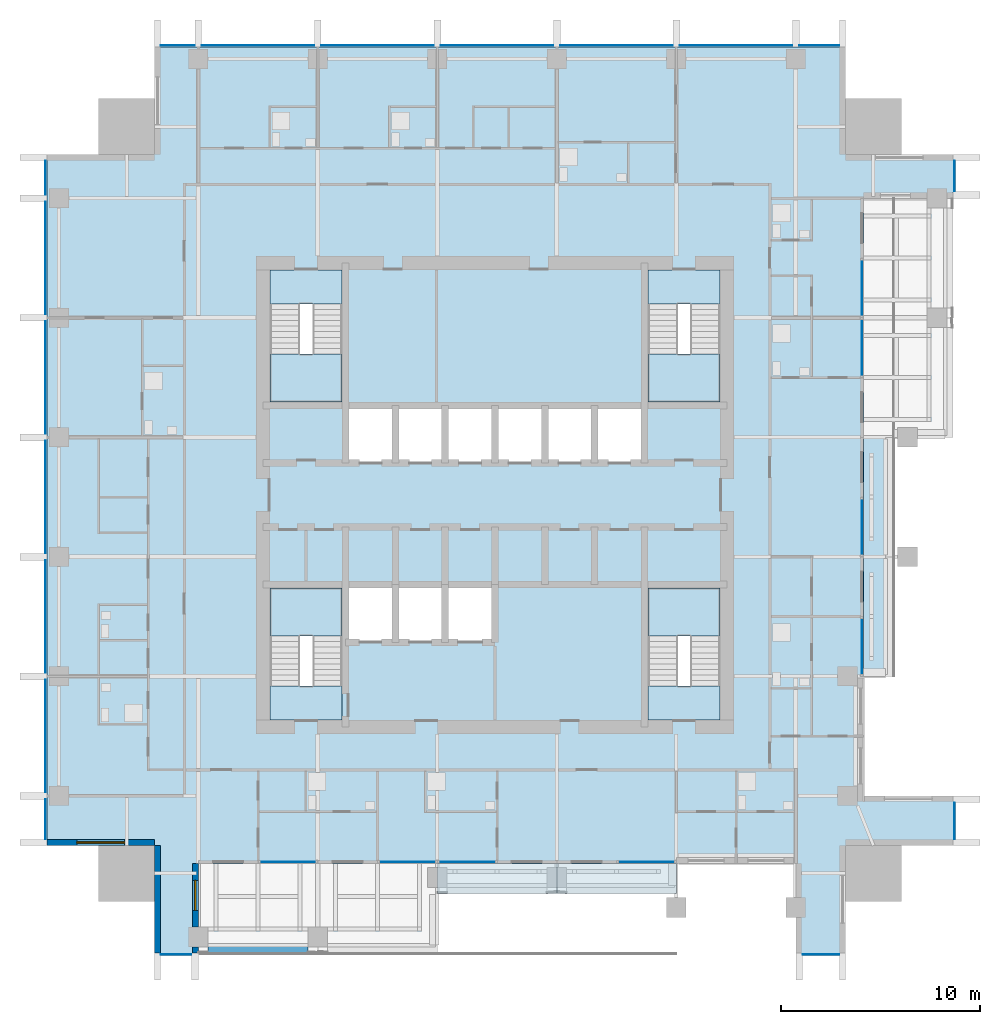
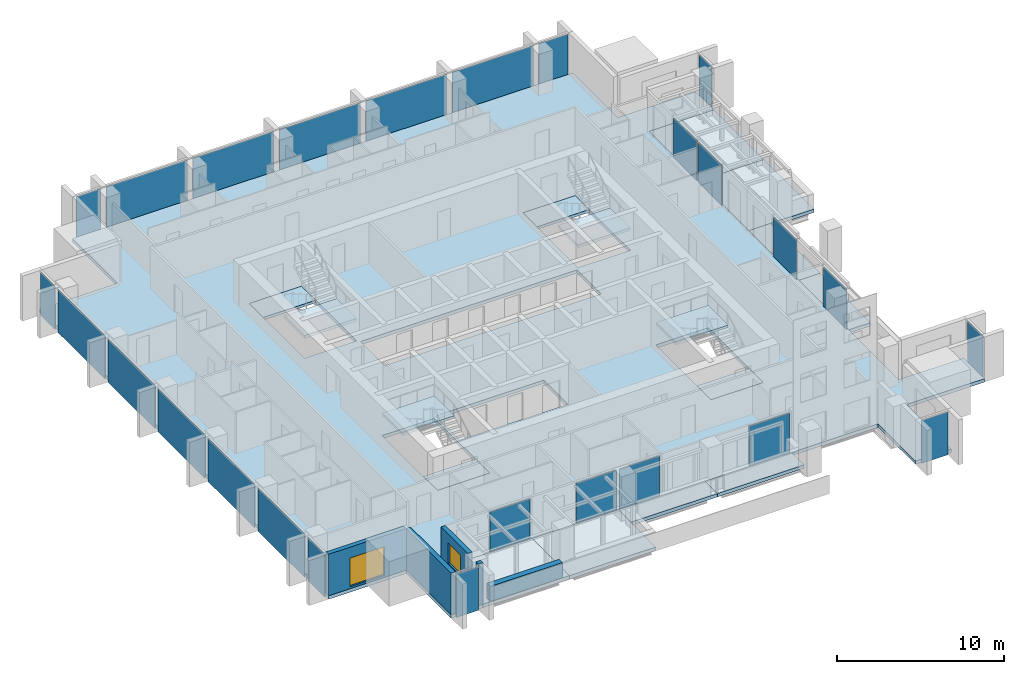
# One storey, part 7 of 16: 26 plates, 17 slabs, 5 walls, 2 windows, 2 openings, 18 elements without a shape of their own.
"""IFC4 building model written with IfcOpenShell, lengths in metres."""

from ifc_helpers import new_model, si_unit, direction, frame, frame_2d, origin, origin_2d, place, context, subcontext, project, spatial, polyline, rectangle, outline, extrude, material, layer, layer_set, type_object, element, fill, aggregate, save


model = new_model("IFC4")

# Units and contexts
model_context = context("Model", 3, precision=1e-05, world=origin(), true_north=direction((0.0, 1.0)))
body_context = subcontext(model_context, "Body", "Model", "MODEL_VIEW")
ifc_project = project(units=[si_unit("LENGTHUNIT", "METRE"), si_unit("AREAUNIT", "SQUARE_METRE"), si_unit("VOLUMEUNIT", "CUBIC_METRE"), si_unit("PLANEANGLEUNIT", "RADIAN"), si_unit("MASSUNIT", "GRAM", prefix="KILO")], contexts=[model_context])

# Site, building, storey
site_placement = place(None, origin())
site = spatial("IfcSite", under=ifc_project, at=site_placement, CompositionType="ELEMENT")
building_placement = place(site_placement, origin())
building = spatial("IfcBuilding", under=site, at=building_placement, Name="Amberfall Residences", CompositionType="ELEMENT")
storey_placement = place(building_placement, frame((0.0, 0.0, 164.800048828125)))
storey = spatial("IfcBuildingStorey", under=building, at=storey_placement, Name="L44", CompositionType="ELEMENT", Elevation=164.800048828125)

# Curtain wall, plate
ifc_material_1 = material(Name="Bronze anodised aluminium and glass", Category="aluminium")
curtain_wall_type_1 = type_object("IfcCurtainWallType", Name="Curtain wall CW1 tower unit", PredefinedType="USERDEFINED", material=ifc_material_1)
curtain_wall_1_placement = place(storey_placement, origin())
curtain_wall_1 = element("IfcCurtainWall", 1, at=curtain_wall_1_placement, inside=storey, type_object=curtain_wall_type_1, Name="Curtain wall L44 S S1", ObjectType="UNITISED CURTAIN WALL", PredefinedType="USERDEFINED")
ifc_material_2 = material(Name="Tinted double glazed unit", Category="glass")
ifc_layer_1 = layer(ifc_material_2, 0.035888671875)
ifc_layer_set_1 = layer_set([ifc_layer_1], Name="CW1 panel 36 glazing")
plate_type_1 = type_object("IfcPlateType", Name="CW1 panel 36 glazing", PredefinedType="CURTAIN_PANEL", material=ifc_layer_set_1)
plate_1_placement = place(storey_placement, frame((58.47509765625, 22.425048828125, -0.25), z_axis=(0.0, 0.0, 1.0), x_axis=(1.0, 0.0, 0.0)))
plate_1 = element("IfcPlate", 2, at=plate_1_placement, type_object=plate_type_1, Name="CW1 panel 1.1", PredefinedType="CURTAIN_PANEL", context=body_context, shape_type="SweptSolid", body=[
    extrude(rectangle(XDim=1.52587890625, YDim=0.035888671875, at=origin_2d()), origin(), (0.0, 0.0, 1.0), 3.14990234375),
])
aggregate(curtain_wall_1, [plate_1])

curtain_wall_2_placement = place(storey_placement, origin())
curtain_wall_2 = element("IfcCurtainWall", 3, at=curtain_wall_2_placement, inside=storey, type_object=curtain_wall_type_1, Name="Curtain wall L44 S S9", ObjectType="UNITISED CURTAIN WALL", PredefinedType="USERDEFINED")
plate_2_placement = place(storey_placement, frame((90.875, 22.425048828125, -0.25), z_axis=(0.0, 0.0, 1.0), x_axis=(1.0, 0.0, 0.0)))
plate_2 = element("IfcPlate", 4, at=plate_2_placement, type_object=plate_type_1, Name="CW1 panel 1.1", PredefinedType="CURTAIN_PANEL", context=body_context, shape_type="SweptSolid", body=[
    extrude(rectangle(XDim=1.825927734375, YDim=0.035888671875, at=origin_2d()), origin(), (0.0, 0.0, 1.0), 3.14990234375),
])
aggregate(curtain_wall_2, [plate_2])

curtain_wall_3_placement = place(storey_placement, origin())
curtain_wall_3 = element("IfcCurtainWall", 5, at=curtain_wall_3_placement, inside=storey, type_object=curtain_wall_type_1, Name="Curtain wall L44 E E1", ObjectType="UNITISED CURTAIN WALL", PredefinedType="USERDEFINED")
plate_3_placement = place(storey_placement, frame((97.574951171875, 29.125, -0.25), z_axis=(0.0, 0.0, 1.0), x_axis=(0.0, 1.0, 0.0)))
plate_3 = element("IfcPlate", 6, at=plate_3_placement, type_object=plate_type_1, Name="CW1 panel 1.1", PredefinedType="CURTAIN_PANEL", context=body_context, shape_type="SweptSolid", body=[
    extrude(rectangle(XDim=1.825927734375, YDim=0.035888671875, at=origin_2d()), origin(), (0.0, 0.0, 1.0), 3.14990234375),
])
aggregate(curtain_wall_3, [plate_3])

curtain_wall_4_placement = place(storey_placement, origin())
curtain_wall_4 = element("IfcCurtainWall", 7, at=curtain_wall_4_placement, inside=storey, type_object=curtain_wall_type_1, Name="Curtain wall L44 E E9", ObjectType="UNITISED CURTAIN WALL", PredefinedType="USERDEFINED")
plate_4_placement = place(storey_placement, frame((97.574951171875, 61.52490234375, -0.25), z_axis=(0.0, 0.0, 1.0), x_axis=(0.0, 1.0, 0.0)))
plate_4 = element("IfcPlate", 8, at=plate_4_placement, type_object=plate_type_1, Name="CW1 panel 1.1", PredefinedType="CURTAIN_PANEL", context=body_context, shape_type="SweptSolid", body=[
    extrude(rectangle(XDim=1.52587890625, YDim=0.035888671875, at=origin_2d()), origin(), (0.0, 0.0, 1.0), 3.14990234375),
])
aggregate(curtain_wall_4, [plate_4])

# Curtain wall, plates
curtain_wall_5_placement = place(storey_placement, origin())
curtain_wall_5 = element("IfcCurtainWall", 9, at=curtain_wall_5_placement, inside=storey, type_object=curtain_wall_type_1, Name="Curtain wall L44 N N1", ObjectType="UNITISED CURTAIN WALL", PredefinedType="USERDEFINED")
plate_5_placement = place(storey_placement, frame((90.78759765625, 68.074951171875, -0.25), z_axis=(0.0, 0.0, 1.0), x_axis=(-1.0, 0.0, 0.0)))
plate_5 = element("IfcPlate", 10, at=plate_5_placement, type_object=plate_type_1, Name="CW1 panel 1.1", PredefinedType="CURTAIN_PANEL", context=body_context, shape_type="SweptSolid", body=[
    extrude(rectangle(XDim=2.0009765625, YDim=0.035888671875, at=origin_2d()), origin(), (0.0, 0.0, 1.0), 3.14990234375),
])
plate_6_placement = place(storey_placement, frame((86.60009765625, 68.074951171875, -0.25), z_axis=(0.0, 0.0, 1.0), x_axis=(-1.0, 0.0, 0.0)))
plate_6 = element("IfcPlate", 11, at=plate_6_placement, type_object=plate_type_1, Name="CW1 panel 2.1", PredefinedType="CURTAIN_PANEL", context=body_context, shape_type="SweptSolid", body=[
    extrude(rectangle(XDim=5.6259765625, YDim=0.035888671875, at=origin_2d()), origin(), (0.0, 0.0, 1.0), 3.14990234375),
])
plate_7_placement = place(storey_placement, frame((80.60009765625, 68.074951171875, -0.25), z_axis=(0.0, 0.0, 1.0), x_axis=(-1.0, 0.0, 0.0)))
plate_7 = element("IfcPlate", 12, at=plate_7_placement, type_object=plate_type_1, Name="CW1 panel 3.1", PredefinedType="CURTAIN_PANEL", context=body_context, shape_type="SweptSolid", body=[
    extrude(rectangle(XDim=5.6259765625, YDim=0.035888671875, at=origin_2d()), origin(), (0.0, 0.0, 1.0), 3.14990234375),
])
plate_8_placement = place(storey_placement, frame((74.60009765625, 68.074951171875, -0.25), z_axis=(0.0, 0.0, 1.0), x_axis=(-1.0, 0.0, 0.0)))
plate_8 = element("IfcPlate", 13, at=plate_8_placement, type_object=plate_type_1, Name="CW1 panel 4.1", PredefinedType="CURTAIN_PANEL", context=body_context, shape_type="SweptSolid", body=[
    extrude(rectangle(XDim=5.6259765625, YDim=0.035888671875, at=origin_2d()), origin(), (0.0, 0.0, 1.0), 3.14990234375),
])
plate_9_placement = place(storey_placement, frame((68.60009765625, 68.074951171875, -0.25), z_axis=(0.0, 0.0, 1.0), x_axis=(-1.0, 0.0, 0.0)))
plate_9 = element("IfcPlate", 14, at=plate_9_placement, type_object=plate_type_1, Name="CW1 panel 5.1", PredefinedType="CURTAIN_PANEL", context=body_context, shape_type="SweptSolid", body=[
    extrude(rectangle(XDim=5.6259765625, YDim=0.035888671875, at=origin_2d()), origin(), (0.0, 0.0, 1.0), 3.14990234375),
])
plate_10_placement = place(storey_placement, frame((62.60009765625, 68.074951171875, -0.25), z_axis=(0.0, 0.0, 1.0), x_axis=(-1.0, 0.0, 0.0)))
plate_10 = element("IfcPlate", 15, at=plate_10_placement, type_object=plate_type_1, Name="CW1 panel 6.1", PredefinedType="CURTAIN_PANEL", context=body_context, shape_type="SweptSolid", body=[
    extrude(rectangle(XDim=5.6259765625, YDim=0.035888671875, at=origin_2d()), origin(), (0.0, 0.0, 1.0), 3.14990234375),
])
plate_11_placement = place(storey_placement, frame((58.5625, 68.074951171875, -0.25), z_axis=(0.0, 0.0, 1.0), x_axis=(-1.0, 0.0, 0.0)))
plate_11 = element("IfcPlate", 16, at=plate_11_placement, type_object=plate_type_1, Name="CW1 panel 7.1", PredefinedType="CURTAIN_PANEL", context=body_context, shape_type="SweptSolid", body=[
    extrude(rectangle(XDim=1.700927734375, YDim=0.035888671875, at=origin_2d()), origin(), (0.0, 0.0, 1.0), 3.14990234375),
])
aggregate(curtain_wall_5, [plate_5, plate_6, plate_7, plate_8, plate_9, plate_10, plate_11])

curtain_wall_6_placement = place(storey_placement, origin())
curtain_wall_6 = element("IfcCurtainWall", 17, at=curtain_wall_6_placement, inside=storey, type_object=curtain_wall_type_1, Name="Curtain wall L44 W W1", ObjectType="UNITISED CURTAIN WALL", PredefinedType="USERDEFINED")
plate_12_placement = place(storey_placement, frame((51.925048828125, 61.4375, -0.25), z_axis=(0.0, 0.0, 1.0), x_axis=(0.0, -1.0, 0.0)))
plate_12 = element("IfcPlate", 18, at=plate_12_placement, type_object=plate_type_1, Name="CW1 panel 1.1", PredefinedType="CURTAIN_PANEL", context=body_context, shape_type="SweptSolid", body=[
    extrude(rectangle(XDim=1.700927734375, YDim=0.035888671875, at=origin_2d()), origin(), (0.0, 0.0, 1.0), 3.14990234375),
])
plate_13_placement = place(storey_placement, frame((51.925048828125, 57.39990234375, -0.25), z_axis=(0.0, 0.0, 1.0), x_axis=(0.0, -1.0, 0.0)))
plate_13 = element("IfcPlate", 19, at=plate_13_placement, type_object=plate_type_1, Name="CW1 panel 2.1", PredefinedType="CURTAIN_PANEL", context=body_context, shape_type="SweptSolid", body=[
    extrude(rectangle(XDim=5.6259765625, YDim=0.035888671875, at=origin_2d()), origin(), (0.0, 0.0, 1.0), 3.14990234375),
])
plate_14_placement = place(storey_placement, frame((51.925048828125, 51.39990234375, -0.25), z_axis=(0.0, 0.0, 1.0), x_axis=(0.0, -1.0, 0.0)))
plate_14 = element("IfcPlate", 20, at=plate_14_placement, type_object=plate_type_1, Name="CW1 panel 3.1", PredefinedType="CURTAIN_PANEL", context=body_context, shape_type="SweptSolid", body=[
    extrude(rectangle(XDim=5.6259765625, YDim=0.035888671875, at=origin_2d()), origin(), (0.0, 0.0, 1.0), 3.14990234375),
])
plate_15_placement = place(storey_placement, frame((51.925048828125, 45.39990234375, -0.25), z_axis=(0.0, 0.0, 1.0), x_axis=(0.0, -1.0, 0.0)))
plate_15 = element("IfcPlate", 21, at=plate_15_placement, type_object=plate_type_1, Name="CW1 panel 4.1", PredefinedType="CURTAIN_PANEL", context=body_context, shape_type="SweptSolid", body=[
    extrude(rectangle(XDim=5.6259765625, YDim=0.035888671875, at=origin_2d()), origin(), (0.0, 0.0, 1.0), 3.14990234375),
])
plate_16_placement = place(storey_placement, frame((51.925048828125, 39.39990234375, -0.25), z_axis=(0.0, 0.0, 1.0), x_axis=(0.0, -1.0, 0.0)))
plate_16 = element("IfcPlate", 22, at=plate_16_placement, type_object=plate_type_1, Name="CW1 panel 5.1", PredefinedType="CURTAIN_PANEL", context=body_context, shape_type="SweptSolid", body=[
    extrude(rectangle(XDim=5.6259765625, YDim=0.035888671875, at=origin_2d()), origin(), (0.0, 0.0, 1.0), 3.14990234375),
])
plate_17_placement = place(storey_placement, frame((51.925048828125, 33.39990234375, -0.25), z_axis=(0.0, 0.0, 1.0), x_axis=(0.0, -1.0, 0.0)))
plate_17 = element("IfcPlate", 23, at=plate_17_placement, type_object=plate_type_1, Name="CW1 panel 6.1", PredefinedType="CURTAIN_PANEL", context=body_context, shape_type="SweptSolid", body=[
    extrude(rectangle(XDim=5.6259765625, YDim=0.035888671875, at=origin_2d()), origin(), (0.0, 0.0, 1.0), 3.14990234375),
])
plate_18_placement = place(storey_placement, frame((51.925048828125, 29.21240234375, -0.25), z_axis=(0.0, 0.0, 1.0), x_axis=(0.0, -1.0, 0.0)))
plate_18 = element("IfcPlate", 24, at=plate_18_placement, type_object=plate_type_1, Name="CW1 panel 7.1", PredefinedType="CURTAIN_PANEL", context=body_context, shape_type="SweptSolid", body=[
    extrude(rectangle(XDim=2.0009765625, YDim=0.035888671875, at=origin_2d()), origin(), (0.0, 0.0, 1.0), 3.14990234375),
])
aggregate(curtain_wall_6, [plate_12, plate_13, plate_14, plate_15, plate_16, plate_17, plate_18])

# Curtain wall, plate
curtain_wall_type_2 = type_object("IfcCurtainWallType", Name="Curtain wall CW3 sky garden glazing", PredefinedType="USERDEFINED", material=ifc_material_1)
curtain_wall_7_placement = place(storey_placement, origin())
curtain_wall_7 = element("IfcCurtainWall", 25, at=curtain_wall_7_placement, inside=storey, type_object=curtain_wall_type_2, Name="Curtain wall L44 S S3", ObjectType="UNITISED CURTAIN WALL", PredefinedType="USERDEFINED")
ifc_material_3 = material(Name="Tinted laminated double glazed unit", Category="glass")
ifc_layer_2 = layer(ifc_material_3, 0.0439453125)
ifc_layer_set_2 = layer_set([ifc_layer_2], Name="CW3 panel 44 glazing")
plate_type_2 = type_object("IfcPlateType", Name="CW3 panel 44 glazing", PredefinedType="CURTAIN_PANEL", material=ifc_layer_set_2)
plate_19_placement = place(storey_placement, frame((64.10009765625, 27.074951171875, 0.0), z_axis=(0.0, 0.0, 1.0), x_axis=(1.0, 0.0, 0.0)))
plate_19 = element("IfcPlate", 26, at=plate_19_placement, type_object=plate_type_2, Name="CW3 panel 1.1", PredefinedType="CURTAIN_PANEL", context=body_context, shape_type="SweptSolid", body=[
    extrude(rectangle(XDim=2.77587890625, YDim=0.0439453125, at=origin_2d()), origin(), (0.0, 0.0, 1.0), 2.89990234375),
])
aggregate(curtain_wall_7, [plate_19])

curtain_wall_8_placement = place(storey_placement, origin())
curtain_wall_8 = element("IfcCurtainWall", 27, at=curtain_wall_8_placement, inside=storey, type_object=curtain_wall_type_2, Name="Curtain wall L44 S S4", ObjectType="UNITISED CURTAIN WALL", PredefinedType="USERDEFINED")
plate_20_placement = place(storey_placement, frame((70.10009765625, 27.074951171875, 0.0), z_axis=(0.0, 0.0, 1.0), x_axis=(1.0, 0.0, 0.0)))
plate_20 = element("IfcPlate", 28, at=plate_20_placement, type_object=plate_type_2, Name="CW3 panel 1.1", PredefinedType="CURTAIN_PANEL", context=body_context, shape_type="SweptSolid", body=[
    extrude(rectangle(XDim=2.77587890625, YDim=0.0439453125, at=origin_2d()), origin(), (0.0, 0.0, 1.0), 2.89990234375),
])
aggregate(curtain_wall_8, [plate_20])

curtain_wall_9_placement = place(storey_placement, origin())
curtain_wall_9 = element("IfcCurtainWall", 29, at=curtain_wall_9_placement, inside=storey, type_object=curtain_wall_type_2, Name="Curtain wall L44 S S5", ObjectType="UNITISED CURTAIN WALL", PredefinedType="USERDEFINED")
plate_21_placement = place(storey_placement, frame((73.10009765625, 27.074951171875, 0.0), z_axis=(0.0, 0.0, 1.0), x_axis=(1.0, 0.0, 0.0)))
plate_21 = element("IfcPlate", 30, at=plate_21_placement, type_object=plate_type_2, Name="CW3 panel 1.1", PredefinedType="CURTAIN_PANEL", context=body_context, shape_type="SweptSolid", body=[
    extrude(rectangle(XDim=2.77587890625, YDim=0.0439453125, at=origin_2d()), origin(), (0.0, 0.0, 1.0), 2.89990234375),
])
aggregate(curtain_wall_9, [plate_21])

curtain_wall_10_placement = place(storey_placement, origin())
curtain_wall_10 = element("IfcCurtainWall", 31, at=curtain_wall_10_placement, inside=storey, type_object=curtain_wall_type_2, Name="Curtain wall L44 S S6", ObjectType="UNITISED CURTAIN WALL", PredefinedType="USERDEFINED")
plate_22_placement = place(storey_placement, frame((82.10009765625, 27.074951171875, 0.0), z_axis=(0.0, 0.0, 1.0), x_axis=(1.0, 0.0, 0.0)))
plate_22 = element("IfcPlate", 32, at=plate_22_placement, type_object=plate_type_2, Name="CW3 panel 1.1", PredefinedType="CURTAIN_PANEL", context=body_context, shape_type="SweptSolid", body=[
    extrude(rectangle(XDim=2.77587890625, YDim=0.0439453125, at=origin_2d()), origin(), (0.0, 0.0, 1.0), 2.89990234375),
])
aggregate(curtain_wall_10, [plate_22])

curtain_wall_11_placement = place(storey_placement, origin())
curtain_wall_11 = element("IfcCurtainWall", 33, at=curtain_wall_11_placement, inside=storey, type_object=curtain_wall_type_2, Name="Curtain wall L44 E E4", ObjectType="UNITISED CURTAIN WALL", PredefinedType="USERDEFINED")
plate_23_placement = place(storey_placement, frame((92.925048828125, 37.89990234375, 0.0), z_axis=(0.0, 0.0, 1.0), x_axis=(0.0, 1.0, 0.0)))
plate_23 = element("IfcPlate", 34, at=plate_23_placement, type_object=plate_type_2, Name="CW3 panel 1.1", PredefinedType="CURTAIN_PANEL", context=body_context, shape_type="SweptSolid", body=[
    extrude(rectangle(XDim=2.77587890625, YDim=0.0439453125, at=origin_2d()), origin(), (0.0, 0.0, 1.0), 2.89990234375),
])
aggregate(curtain_wall_11, [plate_23])

curtain_wall_12_placement = place(storey_placement, origin())
curtain_wall_12 = element("IfcCurtainWall", 35, at=curtain_wall_12_placement, inside=storey, type_object=curtain_wall_type_2, Name="Curtain wall L44 E E5", ObjectType="UNITISED CURTAIN WALL", PredefinedType="USERDEFINED")
plate_24_placement = place(storey_placement, frame((92.925048828125, 43.89990234375, 0.0), z_axis=(0.0, 0.0, 1.0), x_axis=(0.0, 1.0, 0.0)))
plate_24 = element("IfcPlate", 36, at=plate_24_placement, type_object=plate_type_2, Name="CW3 panel 1.1", PredefinedType="CURTAIN_PANEL", context=body_context, shape_type="SweptSolid", body=[
    extrude(rectangle(XDim=2.77587890625, YDim=0.0439453125, at=origin_2d()), origin(), (0.0, 0.0, 1.0), 2.89990234375),
])
aggregate(curtain_wall_12, [plate_24])

curtain_wall_13_placement = place(storey_placement, origin())
curtain_wall_13 = element("IfcCurtainWall", 37, at=curtain_wall_13_placement, inside=storey, type_object=curtain_wall_type_2, Name="Curtain wall L44 E E6", ObjectType="UNITISED CURTAIN WALL", PredefinedType="USERDEFINED")
plate_25_placement = place(storey_placement, frame((92.925048828125, 52.89990234375, 0.0), z_axis=(0.0, 0.0, 1.0), x_axis=(0.0, 1.0, 0.0)))
plate_25 = element("IfcPlate", 38, at=plate_25_placement, type_object=plate_type_2, Name="CW3 panel 1.1", PredefinedType="CURTAIN_PANEL", context=body_context, shape_type="SweptSolid", body=[
    extrude(rectangle(XDim=2.77587890625, YDim=0.0439453125, at=origin_2d()), origin(), (0.0, 0.0, 1.0), 2.89990234375),
])
aggregate(curtain_wall_13, [plate_25])

curtain_wall_14_placement = place(storey_placement, origin())
curtain_wall_14 = element("IfcCurtainWall", 39, at=curtain_wall_14_placement, inside=storey, type_object=curtain_wall_type_2, Name="Curtain wall L44 E E7", ObjectType="UNITISED CURTAIN WALL", PredefinedType="USERDEFINED")
plate_26_placement = place(storey_placement, frame((92.925048828125, 55.89990234375, 0.0), z_axis=(0.0, 0.0, 1.0), x_axis=(0.0, 1.0, 0.0)))
plate_26 = element("IfcPlate", 40, at=plate_26_placement, type_object=plate_type_2, Name="CW3 panel 1.1", PredefinedType="CURTAIN_PANEL", context=body_context, shape_type="SweptSolid", body=[
    extrude(rectangle(XDim=2.77587890625, YDim=0.0439453125, at=origin_2d()), origin(), (0.0, 0.0, 1.0), 2.89990234375),
])
aggregate(curtain_wall_14, [plate_26])

# Slabs
ifc_material_4 = material(Name="Concrete C60", Category="concrete")
ifc_layer_3 = layer(ifc_material_4, 0.25)
ifc_layer_set_3 = layer_set([ifc_layer_3], Name="Floor slab 250 C60")
slab_type_1 = type_object("IfcSlabType", Name="Floor slab 250 C60", PredefinedType="FLOOR", material=ifc_layer_set_3)
slab_1_placement = place(storey_placement, frame((0.0, 0.0, -0.25)))
element("IfcSlab", 41, at=slab_1_placement, inside=storey, type_object=slab_type_1, Name="Floor slab S10 L44", PredefinedType="FLOOR", context=body_context, shape_type="SweptSolid", body=[
    extrude(outline(polyline([(89.60009765625, 22.5), (89.60009765625, 27.0), (83.60009765625, 27.0), (77.60009765625, 27.0), (71.60009765625, 27.0), (65.60009765625, 27.0), (59.60009765625, 27.0), (59.60009765625, 22.5), (57.39990234375, 22.5), (57.39990234375, 27.89990234375), (52.0, 27.89990234375), (52.0, 62.60009765625), (57.39990234375, 62.60009765625), (57.39990234375, 68.0), (92.10009765625, 68.0), (92.10009765625, 62.60009765625), (97.5, 62.60009765625), (97.5, 60.39990234375), (93.0, 60.39990234375), (93.0, 54.39990234375), (93.0, 48.39990234375), (93.0, 42.39990234375), (93.0, 36.39990234375), (93.0, 30.39990234375), (97.5, 30.39990234375), (97.5, 27.89990234375), (92.10009765625, 27.89990234375), (92.10009765625, 22.5), (89.60009765625, 22.5)]), holes=[polyline([(85.800048828125, 34.199951171875), (85.800048828125, 40.824951171875), (82.175048828125, 40.824951171875), (82.175048828125, 34.199951171875), (85.800048828125, 34.199951171875)]), polyline([(85.800048828125, 50.175048828125), (85.800048828125, 56.800048828125), (82.175048828125, 56.800048828125), (82.175048828125, 50.175048828125), (85.800048828125, 50.175048828125)]), polyline([(67.0, 50.0), (67.0, 47.10009765625), (69.5, 47.10009765625), (72.0, 47.10009765625), (74.5, 47.10009765625), (77.0, 47.10009765625), (79.5, 47.10009765625), (82.0, 47.10009765625), (82.0, 50.0), (79.5, 50.0), (77.0, 50.0), (74.5, 50.0), (72.0, 50.0), (69.5, 50.0), (67.0, 50.0)]), polyline([(69.5, 41.0), (67.0, 41.0), (67.0, 38.10009765625), (69.5, 38.10009765625), (72.0, 38.10009765625), (74.5, 38.10009765625), (74.5, 41.0), (72.0, 41.0), (69.5, 41.0)]), polyline([(66.824951171875, 40.824951171875), (63.199951171875, 40.824951171875), (63.199951171875, 34.199951171875), (66.824951171875, 34.199951171875), (66.824951171875, 40.824951171875)]), polyline([(66.824951171875, 56.800048828125), (63.199951171875, 56.800048828125), (63.199951171875, 50.175048828125), (66.824951171875, 50.175048828125), (66.824951171875, 56.800048828125)])]), origin(), (0.0, 0.0, 1.0), 0.25),
])
ifc_layer_4 = layer(ifc_material_4, 0.25)
ifc_layer_set_4 = layer_set([ifc_layer_4], Name="Garden terrace slab 250 C60")
slab_type_2 = type_object("IfcSlabType", Name="Garden terrace slab 250 C60", PredefinedType="FLOOR", material=ifc_layer_set_4)
slab_2_placement = place(storey_placement, frame((0.0, 0.0, -0.25)))
element("IfcSlab", 42, at=slab_2_placement, inside=storey, type_object=slab_type_2, Name="Terrace slab S14 L44 S1", PredefinedType="FLOOR", context=body_context, shape_type="SweptSolid", body=[
    extrude(outline(polyline([(65.60009765625, 22.5), (65.60009765625, 27.0), (59.60009765625, 27.0), (59.60009765625, 22.5), (65.60009765625, 22.5)])), origin(), (0.0, 0.0, 1.0), 0.25),
])
slab_3_placement = place(storey_placement, frame((0.0, 0.0, -0.25)))
element("IfcSlab", 43, at=slab_3_placement, inside=storey, type_object=slab_type_2, Name="Terrace slab S14 L44 S2", PredefinedType="FLOOR", context=body_context, shape_type="SweptSolid", body=[
    extrude(outline(polyline([(71.60009765625, 22.5), (71.60009765625, 27.0), (65.60009765625, 27.0), (65.60009765625, 22.5), (71.60009765625, 22.5)])), origin(), (0.0, 0.0, 1.0), 0.25),
])
slab_4_placement = place(storey_placement, frame((0.0, 0.0, -0.25)))
element("IfcSlab", 44, at=slab_4_placement, inside=storey, type_object=slab_type_2, Name="Terrace slab S14 L44 S3", PredefinedType="FLOOR", context=body_context, shape_type="SweptSolid", body=[
    extrude(outline(polyline([(71.60009765625, 27.0), (77.60009765625, 27.0), (77.60009765625, 25.5), (71.60009765625, 25.5), (71.60009765625, 27.0)])), origin(), (0.0, 0.0, 1.0), 0.25),
])
slab_5_placement = place(storey_placement, frame((0.0, 0.0, -0.25)))
element("IfcSlab", 45, at=slab_5_placement, inside=storey, type_object=slab_type_2, Name="Terrace slab S14 L44 S4", PredefinedType="FLOOR", context=body_context, shape_type="SweptSolid", body=[
    extrude(outline(polyline([(77.60009765625, 27.0), (83.60009765625, 27.0), (83.60009765625, 25.5), (77.60009765625, 25.5), (77.60009765625, 27.0)])), origin(), (0.0, 0.0, 1.0), 0.25),
])
slab_6_placement = place(storey_placement, frame((0.0, 0.0, -0.25)))
element("IfcSlab", 46, at=slab_6_placement, inside=storey, type_object=slab_type_2, Name="Terrace slab S14 L44 E2", PredefinedType="FLOOR", context=body_context, shape_type="SweptSolid", body=[
    extrude(outline(polyline([(93.0, 36.39990234375), (93.0, 42.39990234375), (94.5, 42.39990234375), (94.5, 36.39990234375), (93.0, 36.39990234375)])), origin(), (0.0, 0.0, 1.0), 0.25),
])
slab_7_placement = place(storey_placement, frame((0.0, 0.0, -0.25)))
element("IfcSlab", 47, at=slab_7_placement, inside=storey, type_object=slab_type_2, Name="Terrace slab S14 L44 E3", PredefinedType="FLOOR", context=body_context, shape_type="SweptSolid", body=[
    extrude(outline(polyline([(93.0, 42.39990234375), (93.0, 48.39990234375), (94.5, 48.39990234375), (94.5, 42.39990234375), (93.0, 42.39990234375)])), origin(), (0.0, 0.0, 1.0), 0.25),
])
slab_8_placement = place(storey_placement, frame((0.0, 0.0, -0.25)))
element("IfcSlab", 48, at=slab_8_placement, inside=storey, type_object=slab_type_2, Name="Terrace slab S14 L44 E4", PredefinedType="FLOOR", context=body_context, shape_type="SweptSolid", body=[
    extrude(outline(polyline([(97.5, 48.39990234375), (97.5, 54.39990234375), (93.0, 54.39990234375), (93.0, 48.39990234375), (97.5, 48.39990234375)])), origin(), (0.0, 0.0, 1.0), 0.25),
])
slab_9_placement = place(storey_placement, frame((0.0, 0.0, -0.25)))
element("IfcSlab", 49, at=slab_9_placement, inside=storey, type_object=slab_type_2, Name="Terrace slab S14 L44 E5", PredefinedType="FLOOR", context=body_context, shape_type="SweptSolid", body=[
    extrude(outline(polyline([(97.5, 54.39990234375), (97.5, 60.39990234375), (93.0, 60.39990234375), (93.0, 54.39990234375), (97.5, 54.39990234375)])), origin(), (0.0, 0.0, 1.0), 0.25),
])

# Stair, slabs
ifc_material_5 = material(Name="Concrete C40", Category="concrete")
stair_type = type_object("IfcStairType", Name="Exit stair 20 risers 165.0 mm", PredefinedType="HALF_TURN_STAIR", material=ifc_material_5)
stair_1_placement = place(storey_placement, origin())
stair_1 = element("IfcStair", 50, at=stair_1_placement, inside=storey, type_object=stair_type, Name="L44 Exit stair 1", PredefinedType="HALF_TURN_STAIR")
ifc_layer_5 = layer(ifc_material_5, 0.199951171875)
ifc_layer_set_5 = layer_set([ifc_layer_5], Name="Stair landing 200")
slab_type_3 = type_object("IfcSlabType", Name="Stair landing 200", PredefinedType="LANDING", material=ifc_layer_set_5)
slab_10_placement = place(storey_placement, frame((0.0, 0.0, 1.449951171875)))
slab_10 = element("IfcSlab", 51, at=slab_10_placement, type_object=slab_type_3, Name="ST3 landing 1", PredefinedType="LANDING", context=body_context, shape_type="SweptSolid", body=[
    extrude(outline(polyline([(66.824951171875, 38.419921875), (66.824951171875, 40.824951171875), (63.199951171875, 40.824951171875), (63.199951171875, 38.419921875), (66.824951171875, 38.419921875)])), origin(), (0.0, 0.0, 1.0), 0.199951171875),
])
slab_11_placement = place(storey_placement, frame((0.0, 0.0, -0.199951171875)))
slab_11 = element("IfcSlab", 52, at=slab_11_placement, type_object=slab_type_3, Name="ST3 landing 2", PredefinedType="LANDING", context=body_context, shape_type="SweptSolid", body=[
    extrude(outline(polyline([(66.824951171875, 34.199951171875), (66.824951171875, 35.89990234375), (63.199951171875, 35.89990234375), (63.199951171875, 34.199951171875), (66.824951171875, 34.199951171875)])), origin(), (0.0, 0.0, 1.0), 0.199951171875),
])
aggregate(stair_1, [slab_10, slab_11])

stair_2_placement = place(storey_placement, origin())
stair_2 = element("IfcStair", 53, at=stair_2_placement, inside=storey, type_object=stair_type, Name="L44 Exit stair 2", PredefinedType="HALF_TURN_STAIR")
slab_12_placement = place(storey_placement, frame((0.0, 0.0, 1.449951171875)))
slab_12 = element("IfcSlab", 54, at=slab_12_placement, type_object=slab_type_3, Name="ST3 landing 1", PredefinedType="LANDING", context=body_context, shape_type="SweptSolid", body=[
    extrude(outline(polyline([(85.800048828125, 38.419921875), (85.800048828125, 40.824951171875), (82.175048828125, 40.824951171875), (82.175048828125, 38.419921875), (85.800048828125, 38.419921875)])), origin(), (0.0, 0.0, 1.0), 0.199951171875),
])
slab_13_placement = place(storey_placement, frame((0.0, 0.0, -0.199951171875)))
slab_13 = element("IfcSlab", 55, at=slab_13_placement, type_object=slab_type_3, Name="ST3 landing 2", PredefinedType="LANDING", context=body_context, shape_type="SweptSolid", body=[
    extrude(outline(polyline([(85.800048828125, 34.199951171875), (85.800048828125, 35.89990234375), (82.175048828125, 35.89990234375), (82.175048828125, 34.199951171875), (85.800048828125, 34.199951171875)])), origin(), (0.0, 0.0, 1.0), 0.199951171875),
])
aggregate(stair_2, [slab_12, slab_13])

stair_3_placement = place(storey_placement, origin())
stair_3 = element("IfcStair", 56, at=stair_3_placement, inside=storey, type_object=stair_type, Name="L44 Exit stair 3", PredefinedType="HALF_TURN_STAIR")
slab_14_placement = place(storey_placement, frame((0.0, 0.0, 1.449951171875)))
slab_14 = element("IfcSlab", 57, at=slab_14_placement, type_object=slab_type_3, Name="ST3 landing 1", PredefinedType="LANDING", context=body_context, shape_type="SweptSolid", body=[
    extrude(outline(polyline([(82.175048828125, 52.580078125), (82.175048828125, 50.175048828125), (85.800048828125, 50.175048828125), (85.800048828125, 52.580078125), (82.175048828125, 52.580078125)])), origin(), (0.0, 0.0, 1.0), 0.199951171875),
])
slab_15_placement = place(storey_placement, frame((0.0, 0.0, -0.199951171875)))
slab_15 = element("IfcSlab", 58, at=slab_15_placement, type_object=slab_type_3, Name="ST3 landing 2", PredefinedType="LANDING", context=body_context, shape_type="SweptSolid", body=[
    extrude(outline(polyline([(82.175048828125, 56.800048828125), (82.175048828125, 55.10009765625), (85.800048828125, 55.10009765625), (85.800048828125, 56.800048828125), (82.175048828125, 56.800048828125)])), origin(), (0.0, 0.0, 1.0), 0.199951171875),
])
aggregate(stair_3, [slab_14, slab_15])

stair_4_placement = place(storey_placement, origin())
stair_4 = element("IfcStair", 59, at=stair_4_placement, inside=storey, type_object=stair_type, Name="L44 Exit stair 4", PredefinedType="HALF_TURN_STAIR")
slab_16_placement = place(storey_placement, frame((0.0, 0.0, 1.449951171875)))
slab_16 = element("IfcSlab", 60, at=slab_16_placement, type_object=slab_type_3, Name="ST3 landing 1", PredefinedType="LANDING", context=body_context, shape_type="SweptSolid", body=[
    extrude(outline(polyline([(63.199951171875, 52.580078125), (63.199951171875, 50.175048828125), (66.824951171875, 50.175048828125), (66.824951171875, 52.580078125), (63.199951171875, 52.580078125)])), origin(), (0.0, 0.0, 1.0), 0.199951171875),
])
slab_17_placement = place(storey_placement, frame((0.0, 0.0, -0.199951171875)))
slab_17 = element("IfcSlab", 61, at=slab_17_placement, type_object=slab_type_3, Name="ST3 landing 2", PredefinedType="LANDING", context=body_context, shape_type="SweptSolid", body=[
    extrude(outline(polyline([(63.199951171875, 56.800048828125), (63.199951171875, 55.10009765625), (66.824951171875, 55.10009765625), (66.824951171875, 56.800048828125), (63.199951171875, 56.800048828125)])), origin(), (0.0, 0.0, 1.0), 0.199951171875),
])
aggregate(stair_4, [slab_16, slab_17])

# Wall
ifc_material_6 = material(Name="Pale stone cladding on insulated backing", Category="masonry")
ifc_layer_6 = layer(ifc_material_6, 0.300048828125)
ifc_layer_set_6 = layer_set([ifc_layer_6], Name="Bronze clad wall 300")
wall_type_1 = type_object("IfcWallType", Name="Bronze clad wall 300", PredefinedType="SOLIDWALL", material=ifc_layer_set_6)
wall_1_placement = place(storey_placement, frame((59.449951171875, 22.5, 0.0), z_axis=(0.0, 0.0, 1.0), x_axis=(0.0, 1.0, 0.0)))
element("IfcWall", 62, at=wall_1_placement, inside=storey, type_object=wall_type_1, Name="External wall L44 S", PredefinedType="SOLIDWALL", context=body_context, shape_type="SweptSolid", body=[
    extrude(rectangle(XDim=0.300048828125, YDim=0.300048828125, at=frame_2d((0.14990234375, 0.0))), origin(), (0.0, 0.0, 1.0), 3.050048828125),
])

# Wall, opening, window
wall_2_placement = place(storey_placement, frame((59.449951171875, 23.800048828125, 0.0), z_axis=(0.0, 0.0, 1.0), x_axis=(0.0, 1.0, 0.0)))
wall_2 = element("IfcWall", 63, at=wall_2_placement, inside=storey, type_object=wall_type_1, Name="External wall L44 S", PredefinedType="SOLIDWALL", context=body_context, shape_type="SweptSolid", body=[
    extrude(rectangle(XDim=3.199951171875, YDim=0.300048828125, at=frame_2d((1.60009765625, 0.0))), origin(), (0.0, 0.0, 1.0), 3.050048828125),
])
opening_1_placement = place(wall_2_placement, frame((0.85009765625, 0.0, 0.89990234375)))
opening_1 = element("IfcOpeningElement", 64, at=opening_1_placement, cuts=wall_2, Name="Opening WN1", PredefinedType="OPENING", context=body_context, shape_type="SweptSolid", body=[
    extrude(rectangle(XDim=1.5, YDim=1.5, at=frame_2d((0.75, 0.75))), frame((0.0, 0.159912109375, 0.0), z_axis=(0.0, -1.0, 0.0), x_axis=(1.0, 0.0, 0.0)), (0.0, 0.0, 1.0), 0.320068359375),
])
ifc_material_7 = material(Name="Bronze aluminium framed glazing", Category="aluminium")
window_type_1 = type_object("IfcWindowType", Name="Window 1500 x 1500 bronze", PartitioningType="DOUBLE_PANEL_VERTICAL", PredefinedType="WINDOW", material=ifc_material_7)
window_1_placement = place(opening_1_placement, origin())
window_1 = element("IfcWindow", 65, at=window_1_placement, inside=storey, type_object=window_type_1, Name="Window L44 S", OverallHeight=1.5, OverallWidth=1.5, PartitioningType="DOUBLE_PANEL_VERTICAL", PredefinedType="WINDOW", context=body_context, shape_type="SweptSolid", body=[
    extrude(rectangle(XDim=1.5, YDim=1.5, at=frame_2d((0.75, 0.75))), frame((0.0, 0.030029296875, 0.0), z_axis=(0.0, -1.0, 0.0), x_axis=(1.0, 0.0, 0.0)), (0.0, 0.0, 1.0), 0.06005859375),
])
fill(opening_1, window_1)

wall_3_placement = place(storey_placement, frame((52.0, 28.050048828125, 0.0), z_axis=(0.0, 0.0, 1.0), x_axis=(1.0, 0.0, 0.0)))
wall_3 = element("IfcWall", 66, at=wall_3_placement, inside=storey, type_object=wall_type_1, Name="External wall L44 SW", PredefinedType="SOLIDWALL", context=body_context, shape_type="SweptSolid", body=[
    extrude(rectangle(XDim=5.39990234375, YDim=0.300048828125, at=frame_2d((2.699951171875, 0.0))), origin(), (0.0, 0.0, 1.0), 3.050048828125),
])
opening_2_placement = place(wall_3_placement, frame((1.5, 0.0, 0.14990234375)))
opening_2 = element("IfcOpeningElement", 67, at=opening_2_placement, cuts=wall_3, Name="Opening WN5", PredefinedType="OPENING", context=body_context, shape_type="SweptSolid", body=[
    extrude(rectangle(XDim=2.39990234375, YDim=2.10009765625, at=frame_2d((1.199951171875, 1.050048828125))), frame((0.0, 0.159912109375, 0.0), z_axis=(0.0, -1.0, 0.0), x_axis=(1.0, 0.0, 0.0)), (0.0, 0.0, 1.0), 0.320068359375),
])
window_type_2 = type_object("IfcWindowType", Name="Glazed opening 2400 x 2100 bronze", PartitioningType="DOUBLE_PANEL_VERTICAL", PredefinedType="WINDOW", material=ifc_material_7)
window_2_placement = place(opening_2_placement, origin())
window_2 = element("IfcWindow", 68, at=window_2_placement, inside=storey, type_object=window_type_2, Name="Window L44 SW", OverallHeight=2.10009765625, OverallWidth=2.39990234375, PartitioningType="DOUBLE_PANEL_VERTICAL", PredefinedType="WINDOW", context=body_context, shape_type="SweptSolid", body=[
    extrude(rectangle(XDim=2.39990234375, YDim=2.10009765625, at=frame_2d((1.199951171875, 1.050048828125))), frame((0.0, 0.030029296875, 0.0), z_axis=(0.0, -1.0, 0.0), x_axis=(1.0, 0.0, 0.0)), (0.0, 0.0, 1.0), 0.06005859375),
])
fill(opening_2, window_2)

# Walls
wall_4_placement = place(storey_placement, frame((57.550048828125, 27.89990234375, 0.0), z_axis=(0.0, 0.0, 1.0), x_axis=(0.0, -1.0, 0.0)))
element("IfcWall", 69, at=wall_4_placement, inside=storey, type_object=wall_type_1, Name="External wall L44 SW", PredefinedType="SOLIDWALL", context=body_context, shape_type="SweptSolid", body=[
    extrude(rectangle(XDim=5.39990234375, YDim=0.300048828125, at=frame_2d((2.699951171875, 0.0))), origin(), (0.0, 0.0, 1.0), 3.050048828125),
])
ifc_material_8 = material(Name="Pale stone faced Concrete C40", Category="masonry")
ifc_layer_7 = layer(ifc_material_8, 0.39990234375)
ifc_layer_set_7 = layer_set([ifc_layer_7], Name="Terrace parapet wall 400")
wall_type_2 = type_object("IfcWallType", Name="Terrace parapet wall 400", PredefinedType="PARAPET", material=ifc_layer_set_7)
wall_5_placement = place(storey_placement, frame((60.10009765625, 22.699951171875, 0.030029296875), z_axis=(0.0, 0.0, 1.0), x_axis=(1.0, 0.0, 0.0)))
element("IfcWall", 70, at=wall_5_placement, inside=storey, type_object=wall_type_2, Name="Terrace parapet L44 S1", PredefinedType="PARAPET", context=body_context, shape_type="SweptSolid", body=[
    extrude(rectangle(XDim=5.0, YDim=0.39990234375, at=frame_2d((2.5, 0.0))), origin(), (0.0, 0.0, 1.0), 1.099853515625),
])

save(model, "model.ifc")
